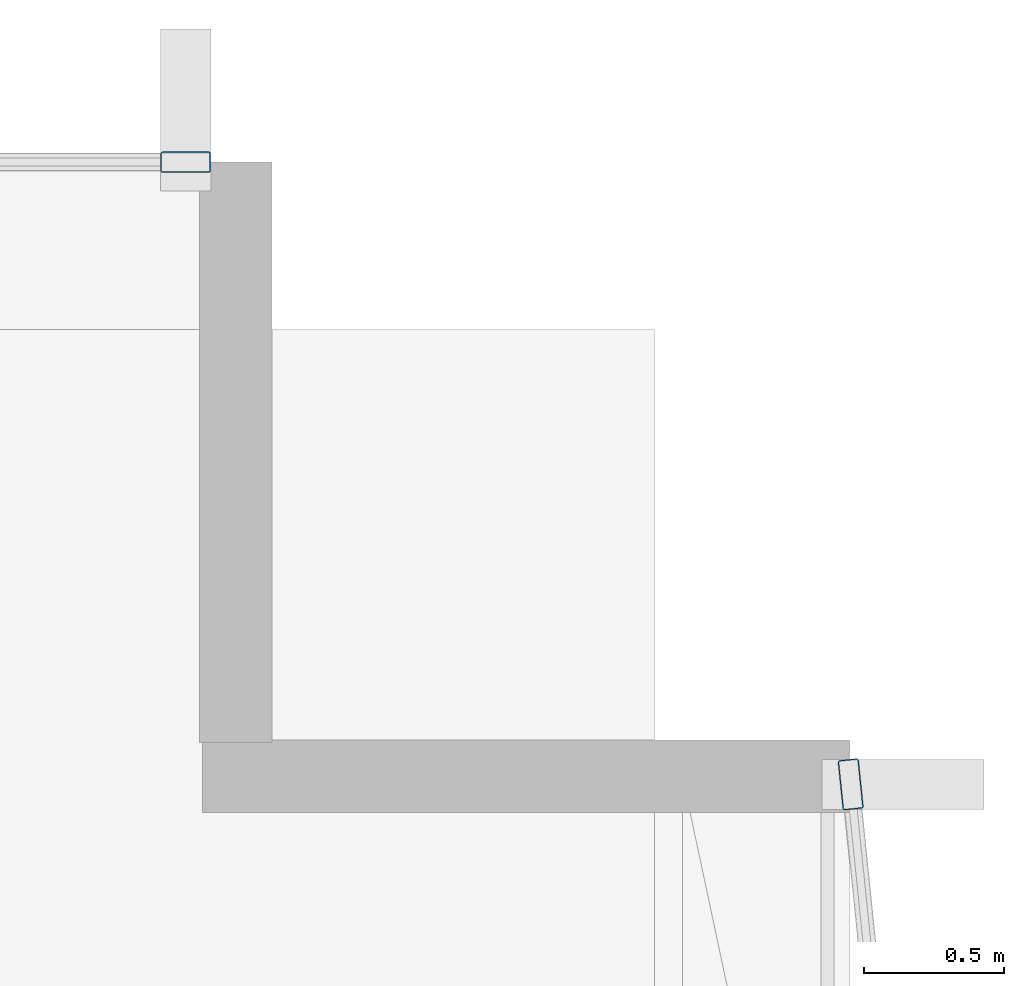
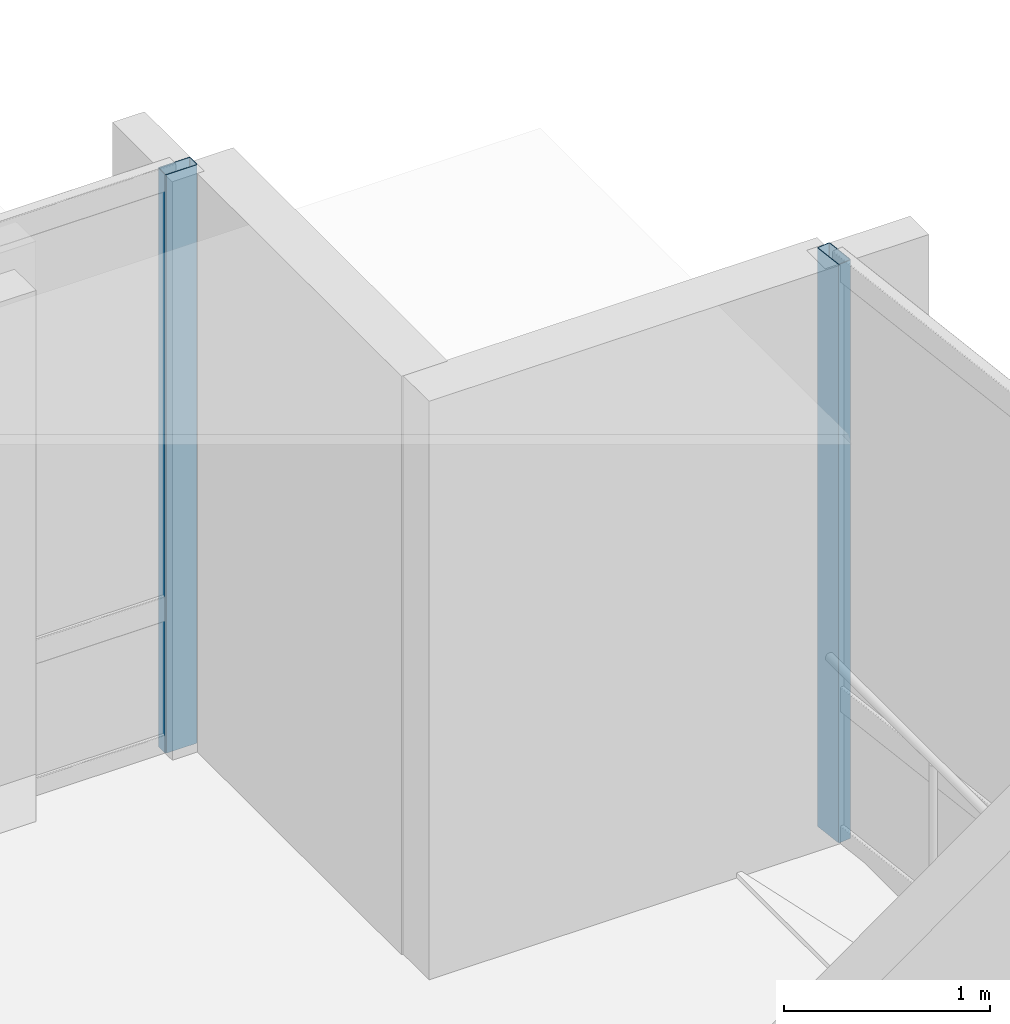
# One storey, part 17 of 34: 2 members, 2 elements without a shape of their own.
"""IFC4 building model written with IfcOpenShell, lengths in metres."""

from ifc_helpers import new_model, si_unit, direction, frame, origin, origin_2d, place, context, subcontext, project, spatial, hollow_rectangle, extrude, material, layer, layer_set, material_profile, profile_set, type_object, element, aggregate, save


model = new_model("IFC4")

# Units and contexts
model_context = context("Model", 3, precision=1e-05, world=origin(), true_north=direction((0.0, 1.0)))
body_context = subcontext(model_context, "Body", "Model", "MODEL_VIEW")
ifc_project = project(units=[si_unit("LENGTHUNIT", "METRE"), si_unit("AREAUNIT", "SQUARE_METRE"), si_unit("VOLUMEUNIT", "CUBIC_METRE"), si_unit("PLANEANGLEUNIT", "RADIAN"), si_unit("MASSUNIT", "GRAM", prefix="KILO")], contexts=[model_context])

# Site, building, storey
site_placement = place(None, origin())
site = spatial("IfcSite", under=ifc_project, at=site_placement, CompositionType="ELEMENT")
building_placement = place(site_placement, origin())
building = spatial("IfcBuilding", under=site, at=building_placement, Name="Solvaryn Broadcast Tower", CompositionType="ELEMENT")
storey_placement = place(building_placement, frame((0.0, 0.0, 54.5)))
storey = spatial("IfcBuildingStorey", under=building, at=storey_placement, Name="L12", CompositionType="ELEMENT", Elevation=54.5)

# Curtain wall, member
ifc_material_1 = material(Name="Aluminium and Terracotta Unitised Curtain Wall", Category="masonry")
ifc_layer = layer(ifc_material_1, 0.199951171875)
ifc_layer_set = layer_set([ifc_layer], Name="CW-SYS2-LOWMID")
curtain_wall_type = type_object("IfcCurtainWallType", Name="CW-SYS2-LOWMID", PredefinedType="NOTDEFINED", material=ifc_layer_set)
curtain_wall_1_placement = place(storey_placement, origin())
curtain_wall_1 = element("IfcCurtainWall", 1, at=curtain_wall_1_placement, inside=storey, type_object=curtain_wall_type, Name="L12 Curtain Wall ET1", PredefinedType="NOTDEFINED")
ifc_material_2 = material(Name="Anodised Aluminium 6063-T6", Category="aluminium")
ifc_material_profile = material_profile(ifc_material_2, hollow_rectangle(XDim=0.074951171875, YDim=0.179931640625, WallThickness=0.00390625, InnerFilletRadius=0.00390625, OuterFilletRadius=0.008056640625, at=origin_2d()))
ifc_profile_set = profile_set([ifc_material_profile], Name="Anodised Aluminium 6063-T6")
member_type = type_object("IfcMemberType", Name="CW-MUL-180", PredefinedType="MULLION", material=ifc_profile_set)
member_1_placement = place(storey_placement, frame((63.003173828125, 24.770263671875, 0.0), z_axis=(0.0, 0.0, 1.0), x_axis=(0.99474329889, 0.10240004548, 0.0)))
member_1 = element("IfcMember", 2, at=member_1_placement, type_object=member_type, Name="CWS2 mullion 1", PredefinedType="MULLION", context=body_context, shape_type="SweptSolid", body=[
    extrude(hollow_rectangle(XDim=0.074951171875, YDim=0.179931640625, WallThickness=0.00390625, InnerFilletRadius=0.00390625, OuterFilletRadius=0.008056640625, at=origin_2d()), origin(), (0.0, 0.0, 1.0), 3.419921875),
])
aggregate(curtain_wall_1, [member_1])

curtain_wall_2_placement = place(storey_placement, origin())
curtain_wall_2 = element("IfcCurtainWall", 3, at=curtain_wall_2_placement, inside=storey, type_object=curtain_wall_type, Name="L12 Curtain Wall IH", PredefinedType="NOTDEFINED")
member_2_placement = place(storey_placement, frame((60.6201171875, 27.0, 0.0), z_axis=(0.0, 0.0, 1.0), x_axis=(0.0, 1.0, 0.0)))
member_2 = element("IfcMember", 4, at=member_2_placement, type_object=member_type, Name="CWS2 mullion 2", PredefinedType="MULLION", context=body_context, shape_type="SweptSolid", body=[
    extrude(hollow_rectangle(XDim=0.074951171875, YDim=0.179931640625, WallThickness=0.00390625, InnerFilletRadius=0.00390625, OuterFilletRadius=0.008056640625, at=origin_2d()), origin(), (0.0, 0.0, 1.0), 3.419921875),
])
aggregate(curtain_wall_2, [member_2])

save(model, "model.ifc")
